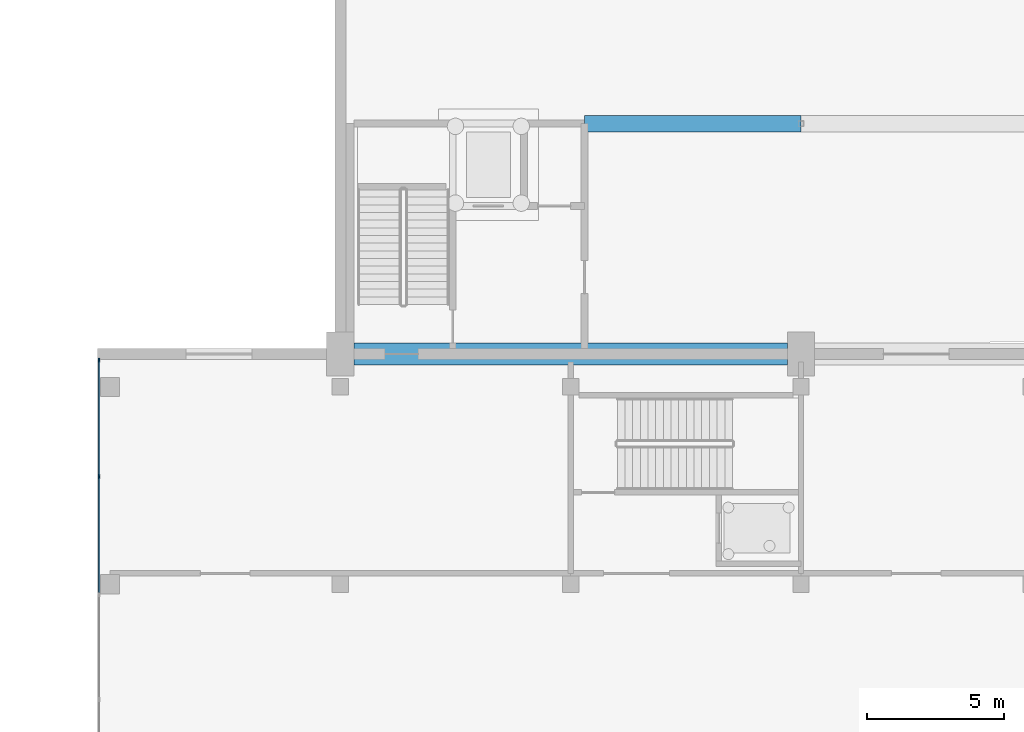
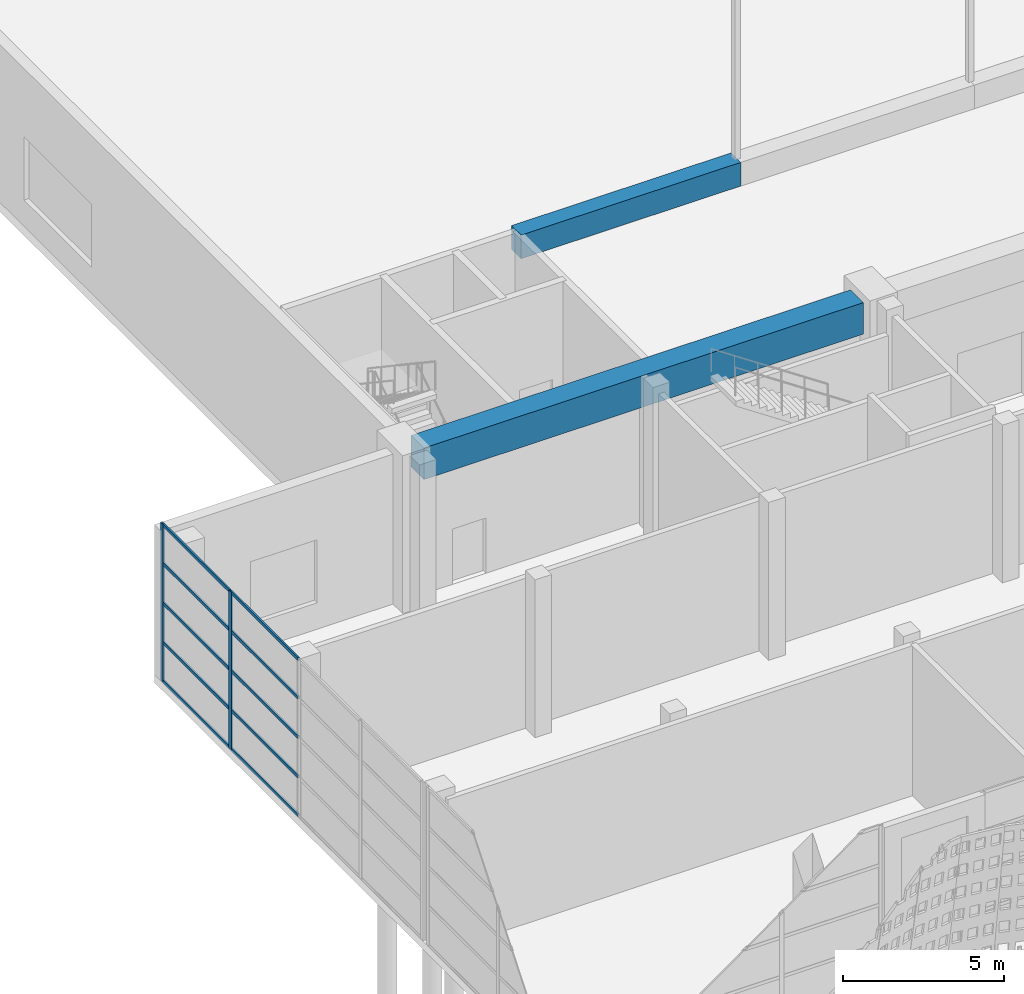
# One storey, part 32 of 210: 12 members, 2 beams, 1 element without a shape of its own.
"""IFC4 building model written with IfcOpenShell, lengths in metres."""

from ifc_helpers import new_model, si_unit, direction, frame, origin, origin_2d, place, context, subcontext, project, spatial, rectangle, extrude, material, layer, layer_set, material_profile, profile_set, type_object, element, aggregate, save


model = new_model("IFC4")

# Units and contexts
model_context = context("Model", 3, precision=1e-05, world=origin(), true_north=direction((0.0, 1.0)))
body_context = subcontext(model_context, "Body", "Model", "MODEL_VIEW")
ifc_project = project(units=[si_unit("LENGTHUNIT", "METRE"), si_unit("AREAUNIT", "SQUARE_METRE"), si_unit("VOLUMEUNIT", "CUBIC_METRE"), si_unit("PLANEANGLEUNIT", "RADIAN"), si_unit("MASSUNIT", "GRAM", prefix="KILO")], contexts=[model_context])

# Site, building, storey
site_placement = place(None, origin())
site = spatial("IfcSite", under=ifc_project, at=site_placement, CompositionType="ELEMENT")
building_placement = place(site_placement, origin())
building = spatial("IfcBuilding", under=site, at=building_placement, Name="Rain Tree Exposition and Congress Centre", CompositionType="ELEMENT")
storey_placement = place(building_placement, origin())
storey = spatial("IfcBuildingStorey", under=building, at=storey_placement, Name="L00", CompositionType="ELEMENT", Elevation=0.0)

# Curtain wall, members
ifc_material_1 = material(Name="Aluminium curtain wall system", Category="aluminium")
ifc_layer = layer(ifc_material_1, 0.10009765625)
ifc_layer_set = layer_set([ifc_layer], Name="Aluminium curtain wall system")
curtain_wall_type = type_object("IfcCurtainWallType", Name="Concourse curtain wall 4200 module", PredefinedType="NOTDEFINED", material=ifc_layer_set)
curtain_wall_placement = place(storey_placement, origin())
curtain_wall = element("IfcCurtainWall", 1, at=curtain_wall_placement, inside=storey, type_object=curtain_wall_type, Name="Concourse curtain wall CWC31", PredefinedType="NOTDEFINED")
ifc_material_2 = material(Name="Aluminium mullion", Category="aluminium")
ifc_material_profile_1 = material_profile(ifc_material_2, rectangle(XDim=0.06005859375, YDim=0.159912109375, at=origin_2d()), Name="AL 60x160")
ifc_profile_set_1 = profile_set([ifc_material_profile_1], Name="Aluminium mullion")
member_type_1 = type_object("IfcMemberType", Name="Concourse curtain wall mullion 60x160", PredefinedType="MULLION", material=ifc_profile_set_1)
member_1_placement = place(storey_placement, frame((-0.39990234375, 96.324951171875, 0.0), z_axis=(0.0, 0.0, 1.0), x_axis=(-1.0, 0.0, 0.0)))
member_1 = element("IfcMember", 2, at=member_1_placement, type_object=member_type_1, Name="CWC31 mullion 2", PredefinedType="MULLION", context=body_context, shape_type="SweptSolid", body=[
    extrude(rectangle(XDim=0.06005859375, YDim=0.159912109375, at=origin_2d()), origin(), (0.0, 0.0, 1.0), 6.0),
])
member_2_placement = place(storey_placement, frame((-0.39990234375, 100.570068359375, 0.0), z_axis=(0.0, 0.0, 1.0), x_axis=(-1.0, 0.0, 0.0)))
member_2 = element("IfcMember", 3, at=member_2_placement, type_object=member_type_1, Name="CWC31 mullion 3", PredefinedType="MULLION", context=body_context, shape_type="SweptSolid", body=[
    extrude(rectangle(XDim=0.06005859375, YDim=0.159912109375, at=origin_2d()), origin(), (0.0, 0.0, 1.0), 6.0),
])
ifc_material_3 = material(Name="Aluminium transom", Category="aluminium")
ifc_material_profile_2 = material_profile(ifc_material_3, rectangle(XDim=0.06005859375, YDim=0.1201171875, at=origin_2d()), Name="AL 60x120")
ifc_profile_set_2 = profile_set([ifc_material_profile_2], Name="Aluminium transom")
member_type_2 = type_object("IfcMemberType", Name="Concourse curtain wall transom 60x120", PredefinedType="USERDEFINED", material=ifc_profile_set_2)
member_3_placement = place(storey_placement, frame((-0.39990234375, 92.110107421875, 0.030029296875), z_axis=(0.0, 1.0, 0.0), x_axis=(-1.0, 0.0, 0.0)))
member_3 = element("IfcMember", 4, at=member_3_placement, type_object=member_type_2, Name="CWC31 transom 1.1", ObjectType="TRANSOM", PredefinedType="USERDEFINED", context=body_context, shape_type="SweptSolid", body=[
    extrude(rectangle(XDim=0.06005859375, YDim=0.1201171875, at=origin_2d()), origin(), (0.0, 0.0, 1.0), 4.184814453125),
])
member_4_placement = place(storey_placement, frame((-0.39990234375, 92.110107421875, 1.5), z_axis=(0.0, 1.0, 0.0), x_axis=(-1.0, 0.0, 0.0)))
member_4 = element("IfcMember", 5, at=member_4_placement, type_object=member_type_2, Name="CWC31 transom 1.2", ObjectType="TRANSOM", PredefinedType="USERDEFINED", context=body_context, shape_type="SweptSolid", body=[
    extrude(rectangle(XDim=0.06005859375, YDim=0.1201171875, at=origin_2d()), origin(), (0.0, 0.0, 1.0), 4.184814453125),
])
member_5_placement = place(storey_placement, frame((-0.39990234375, 92.110107421875, 3.0), z_axis=(0.0, 1.0, 0.0), x_axis=(-1.0, 0.0, 0.0)))
member_5 = element("IfcMember", 6, at=member_5_placement, type_object=member_type_2, Name="CWC31 transom 1.3", ObjectType="TRANSOM", PredefinedType="USERDEFINED", context=body_context, shape_type="SweptSolid", body=[
    extrude(rectangle(XDim=0.06005859375, YDim=0.1201171875, at=origin_2d()), origin(), (0.0, 0.0, 1.0), 4.184814453125),
])
member_6_placement = place(storey_placement, frame((-0.39990234375, 92.110107421875, 4.5), z_axis=(0.0, 1.0, 0.0), x_axis=(-1.0, 0.0, 0.0)))
member_6 = element("IfcMember", 7, at=member_6_placement, type_object=member_type_2, Name="CWC31 transom 1.4", ObjectType="TRANSOM", PredefinedType="USERDEFINED", context=body_context, shape_type="SweptSolid", body=[
    extrude(rectangle(XDim=0.06005859375, YDim=0.1201171875, at=origin_2d()), origin(), (0.0, 0.0, 1.0), 4.184814453125),
])
member_7_placement = place(storey_placement, frame((-0.39990234375, 92.110107421875, 5.969970703125), z_axis=(0.0, 1.0, 0.0), x_axis=(-1.0, 0.0, 0.0)))
member_7 = element("IfcMember", 8, at=member_7_placement, type_object=member_type_2, Name="CWC31 transom 1.5", ObjectType="TRANSOM", PredefinedType="USERDEFINED", context=body_context, shape_type="SweptSolid", body=[
    extrude(rectangle(XDim=0.06005859375, YDim=0.1201171875, at=origin_2d()), origin(), (0.0, 0.0, 1.0), 4.184814453125),
])
member_8_placement = place(storey_placement, frame((-0.39990234375, 96.35498046875, 0.030029296875), z_axis=(0.0, 1.0, 0.0), x_axis=(-1.0, 0.0, 0.0)))
member_8 = element("IfcMember", 9, at=member_8_placement, type_object=member_type_2, Name="CWC31 transom 2.1", ObjectType="TRANSOM", PredefinedType="USERDEFINED", context=body_context, shape_type="SweptSolid", body=[
    extrude(rectangle(XDim=0.06005859375, YDim=0.1201171875, at=origin_2d()), origin(), (0.0, 0.0, 1.0), 4.18505859375),
])
member_9_placement = place(storey_placement, frame((-0.39990234375, 96.35498046875, 1.5), z_axis=(0.0, 1.0, 0.0), x_axis=(-1.0, 0.0, 0.0)))
member_9 = element("IfcMember", 10, at=member_9_placement, type_object=member_type_2, Name="CWC31 transom 2.2", ObjectType="TRANSOM", PredefinedType="USERDEFINED", context=body_context, shape_type="SweptSolid", body=[
    extrude(rectangle(XDim=0.06005859375, YDim=0.1201171875, at=origin_2d()), origin(), (0.0, 0.0, 1.0), 4.18505859375),
])
member_10_placement = place(storey_placement, frame((-0.39990234375, 96.35498046875, 3.0), z_axis=(0.0, 1.0, 0.0), x_axis=(-1.0, 0.0, 0.0)))
member_10 = element("IfcMember", 11, at=member_10_placement, type_object=member_type_2, Name="CWC31 transom 2.3", ObjectType="TRANSOM", PredefinedType="USERDEFINED", context=body_context, shape_type="SweptSolid", body=[
    extrude(rectangle(XDim=0.06005859375, YDim=0.1201171875, at=origin_2d()), origin(), (0.0, 0.0, 1.0), 4.18505859375),
])
member_11_placement = place(storey_placement, frame((-0.39990234375, 96.35498046875, 4.5), z_axis=(0.0, 1.0, 0.0), x_axis=(-1.0, 0.0, 0.0)))
member_11 = element("IfcMember", 12, at=member_11_placement, type_object=member_type_2, Name="CWC31 transom 2.4", ObjectType="TRANSOM", PredefinedType="USERDEFINED", context=body_context, shape_type="SweptSolid", body=[
    extrude(rectangle(XDim=0.06005859375, YDim=0.1201171875, at=origin_2d()), origin(), (0.0, 0.0, 1.0), 4.18505859375),
])
member_12_placement = place(storey_placement, frame((-0.39990234375, 96.35498046875, 5.969970703125), z_axis=(0.0, 1.0, 0.0), x_axis=(-1.0, 0.0, 0.0)))
member_12 = element("IfcMember", 13, at=member_12_placement, type_object=member_type_2, Name="CWC31 transom 2.5", ObjectType="TRANSOM", PredefinedType="USERDEFINED", context=body_context, shape_type="SweptSolid", body=[
    extrude(rectangle(XDim=0.06005859375, YDim=0.1201171875, at=origin_2d()), origin(), (0.0, 0.0, 1.0), 4.18505859375),
])
aggregate(curtain_wall, [member_1, member_2, member_3, member_4, member_5, member_6, member_7, member_8, member_9, member_10, member_11, member_12])

# Beams
ifc_material_4 = material(Name="Precast concrete C50/60", Category="concrete")
ifc_material_profile_3 = material_profile(ifc_material_4, rectangle(XDim=0.60009765625, YDim=0.89990234375, at=origin_2d()), Name="RC 600x900")
ifc_profile_set_3 = profile_set([ifc_material_profile_3], Name="Precast concrete C50/60")
beam_type_1 = type_object("IfcBeamType", Name="Precast beam 600x900", PredefinedType="BEAM", material=ifc_profile_set_3)
beam_1_placement = place(storey_placement, frame((17.300048828125, 109.199951171875, 5.25), z_axis=(1.0, 0.0, 0.0), x_axis=(0.0, 1.0, 0.0)))
element("IfcBeam", 14, at=beam_1_placement, inside=storey, type_object=beam_type_1, Name="Gallery edge beam 1", PredefinedType="BEAM", context=body_context, shape_type="SweptSolid", body=[
    extrude(rectangle(XDim=0.60009765625, YDim=0.89990234375, at=origin_2d()), origin(), (0.0, 0.0, 1.0), 7.89990234375),
])
ifc_material_5 = material(Name="Precast concrete C50/60", Category="concrete")
ifc_material_profile_4 = material_profile(ifc_material_5, rectangle(XDim=0.800048828125, YDim=1.199951171875, at=origin_2d()), Name="RC 800x1200")
ifc_profile_set_4 = profile_set([ifc_material_profile_4], Name="Precast concrete C50/60")
beam_type_2 = type_object("IfcBeamType", Name="Precast beam 800x1200", PredefinedType="BEAM", material=ifc_profile_set_4)
beam_2_placement = place(storey_placement, frame((8.89990234375, 100.800048828125, 5.10009765625), z_axis=(1.0, 0.0, 0.0), x_axis=(0.0, 1.0, 0.0)))
element("IfcBeam", 15, at=beam_2_placement, inside=storey, type_object=beam_type_2, Name="Gallery perimeter beam 1", PredefinedType="BEAM", context=body_context, shape_type="SweptSolid", body=[
    extrude(rectangle(XDim=0.800048828125, YDim=1.199951171875, at=origin_2d()), origin(), (0.0, 0.0, 1.0), 15.800048828125),
])

save(model, "model.ifc")
